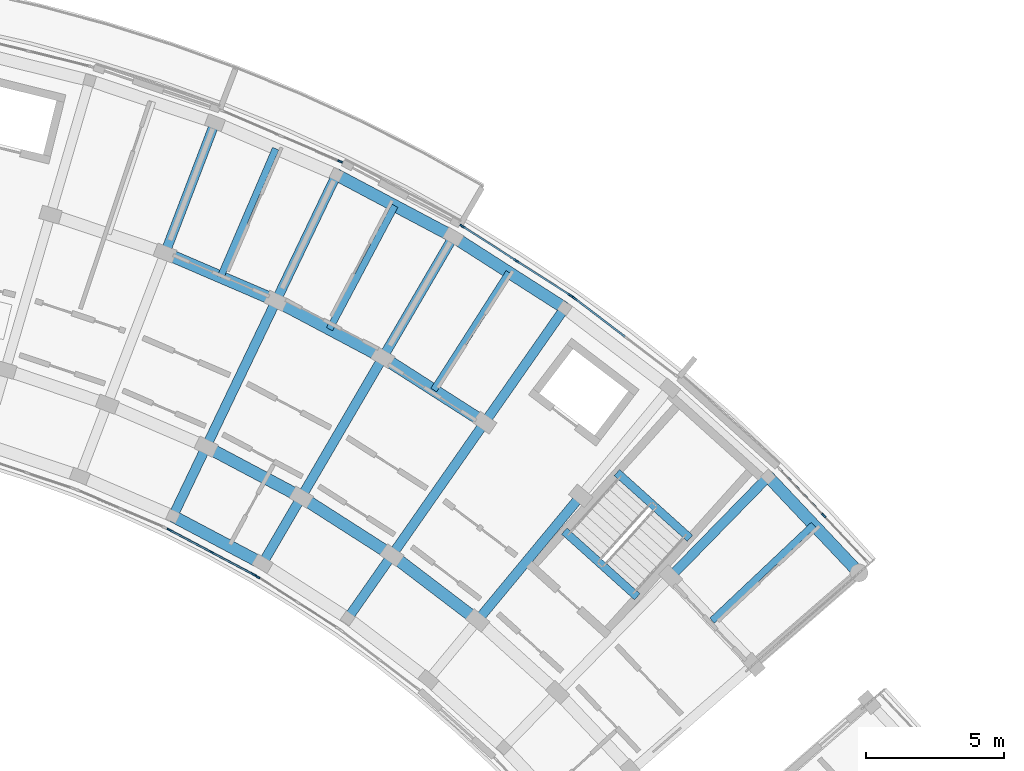
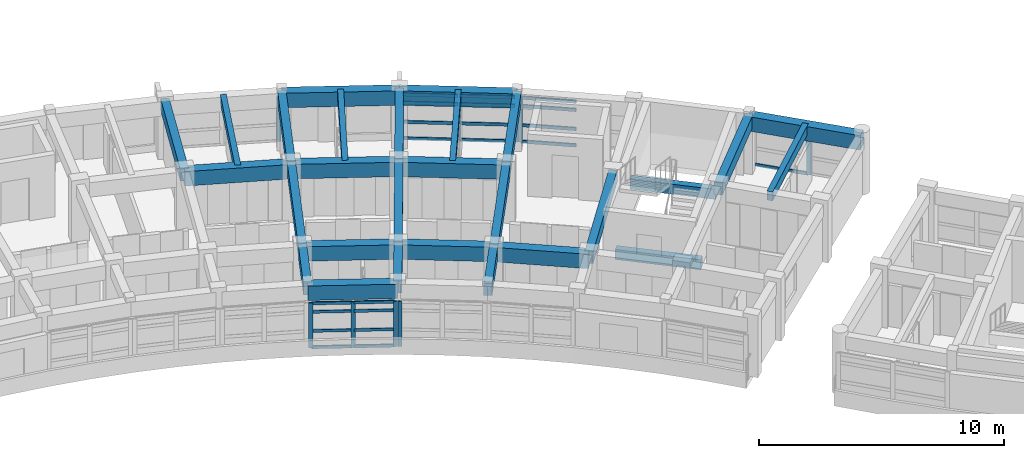
# One storey, part 19 of 50: 31 members, 28 beams, 6 elements without a shape of their own.
"""IFC4 building model written with IfcOpenShell, lengths in metres."""

from ifc_helpers import new_model, si_unit, direction, frame, origin, origin_2d, place, context, subcontext, project, spatial, rectangle, extrude, material, material_profile, profile_set, type_object, element, aggregate, save


model = new_model("IFC4")

# Units and contexts
model_context = context("Model", 3, precision=1e-05, world=origin(), true_north=direction((0.0, 1.0)))
body_context = subcontext(model_context, "Body", "Model", "MODEL_VIEW")
ifc_project = project(units=[si_unit("LENGTHUNIT", "METRE"), si_unit("AREAUNIT", "SQUARE_METRE"), si_unit("VOLUMEUNIT", "CUBIC_METRE"), si_unit("PLANEANGLEUNIT", "RADIAN"), si_unit("MASSUNIT", "GRAM", prefix="KILO")], contexts=[model_context])

# Site, building, storey
site_placement = place(None, origin())
site = spatial("IfcSite", under=ifc_project, at=site_placement, CompositionType="ELEMENT")
building_placement = place(site_placement, origin())
building = spatial("IfcBuilding", under=site, at=building_placement, Name="Zimvara Arc Housing Community", CompositionType="ELEMENT")
storey_placement = place(building_placement, frame((0.0, 0.0, 26.699951171875)))
storey = spatial("IfcBuildingStorey", under=building, at=storey_placement, Name="L08", CompositionType="ELEMENT", Elevation=26.699951171875)

# Beams
ifc_material_1 = material(Name="Concrete C40/50", Category="concrete")
ifc_material_profile_1 = material_profile(ifc_material_1, rectangle(XDim=0.25, YDim=0.449951171875, at=origin_2d()), Name="RC 250x450")
ifc_profile_set_1 = profile_set([ifc_material_profile_1], Name="Concrete C40/50")
beam_type_1 = type_object("IfcBeamType", Name="BM-RC-250x450", PredefinedType="JOIST", material=ifc_profile_set_1)
beam_1_placement = place(storey_placement, frame((66.22802734375, 93.885986328125, 2.655029296875), z_axis=(0.394929109608, 0.918711596958, 0.0), x_axis=(-0.918711596958, 0.394929109608, 0.0)))
element("IfcBeam", 1, at=beam_1_placement, inside=storey, type_object=beam_type_1, Name="bm:blkB:L08:joist:b4", PredefinedType="JOIST", context=body_context, shape_type="SweptSolid", body=[
    extrude(rectangle(XDim=0.25, YDim=0.449951171875, at=origin_2d()), origin(), (0.0, 0.0, 1.0), 5.075927734375),
])
for number, where, z_axis, x_axis, name in (
    (2, (70.186767578125, 91.9892578125, 2.655029296875), (0.46853732736, 0.883443701019, 0.0), (-0.883443701019, 0.46853732736, 0.0), "bm:blkB:L08:joist:b5"),
    (3, (73.9775390625, 89.776123046875, 2.655029296875), (0.539052331508, 0.842272274206, 0.0), (-0.842272274206, 0.539052331508, 0.0), "bm:blkB:L08:joist:b6"),
):
    element("IfcBeam", number, at=place(storey_placement, frame(where, z_axis=z_axis, x_axis=x_axis)), inside=storey, type_object=beam_type_1, Name=name, PredefinedType="JOIST", context=body_context, shape_type="SweptSolid", body=[
        extrude(rectangle(XDim=0.25, YDim=0.449951171875, at=origin_2d()), origin(), (0.0, 0.0, 1.0), 5.07568359375),
    ])
beam_2_placement = place(storey_placement, frame((84.095703125, 81.3935546875, 2.655029296875), z_axis=(0.727299876429, 0.686319815936, 0.0), x_axis=(-0.686319815936, 0.727299876429, 0.0)))
element("IfcBeam", 4, at=beam_2_placement, inside=storey, type_object=beam_type_1, Name="bm:blkB:L08:joist:b9", PredefinedType="JOIST", context=body_context, shape_type="SweptSolid", body=[
    extrude(rectangle(XDim=0.25, YDim=0.449951171875, at=origin_2d()), origin(), (0.0, 0.0, 1.0), 5.075927734375),
])
ifc_material_2 = material(Name="Concrete C40/50", Category="concrete")
ifc_material_profile_2 = material_profile(ifc_material_2, rectangle(XDim=0.300048828125, YDim=0.5, at=origin_2d()), Name="RC 300x500")
ifc_profile_set_2 = profile_set([ifc_material_profile_2], Name="Concrete C40/50")
beam_type_2 = type_object("IfcBeamType", Name="BM-RC-300x500", PredefinedType="BEAM", material=ifc_profile_set_2)
beam_3_placement = place(storey_placement, frame((81.375732421875, 82.259033203125, -0.25), z_axis=(-0.743362151162, 0.668889162881, 0.0), x_axis=(-0.668889162881, -0.743362151162, 0.0)))
element("IfcBeam", 5, at=beam_3_placement, inside=storey, type_object=beam_type_2, Name="bm:stair_trim:ST-B2:L08:near", PredefinedType="BEAM", context=body_context, shape_type="SweptSolid", body=[
    extrude(rectangle(XDim=0.300048828125, YDim=0.5, at=origin_2d()), origin(), (0.0, 0.0, 1.0), 3.570068359375),
])
beam_4_placement = place(storey_placement, frame((83.2900390625, 84.38671875, 1.300048828125), z_axis=(-0.743396155404, 0.668851370732, 0.0), x_axis=(-0.668851370732, -0.743396155404, 0.0)))
element("IfcBeam", 6, at=beam_4_placement, inside=storey, type_object=beam_type_2, Name="bm:stair_trim:ST-B2:L08:mid", PredefinedType="BEAM", context=body_context, shape_type="SweptSolid", body=[
    extrude(rectangle(XDim=0.300048828125, YDim=0.5, at=origin_2d()), origin(), (0.0, 0.0, 1.0), 3.56982421875),
])
ifc_material_3 = material(Name="Concrete C40/50", Category="concrete")
ifc_material_profile_3 = material_profile(ifc_material_3, rectangle(XDim=0.35009765625, YDim=0.60009765625, at=origin_2d()), Name="RC 350x600")
ifc_profile_set_3 = profile_set([ifc_material_profile_3], Name="Concrete C40/50")
beam_type_3 = type_object("IfcBeamType", Name="BM-RC-350x600", PredefinedType="BEAM", material=ifc_profile_set_3)
beam_5_placement = place(storey_placement, frame((64.2099609375, 94.75341796875, 2.580078125), z_axis=(0.357078271386, 0.934074466038, 0.0), x_axis=(-0.934074466038, 0.357078271386, 0.0)))
element("IfcBeam", 7, at=beam_5_placement, inside=storey, type_object=beam_type_3, Name="bm:blkB:L08:rad:b4:r23", PredefinedType="BEAM", context=body_context, shape_type="SweptSolid", body=[
    extrude(rectangle(XDim=0.35009765625, YDim=0.60009765625, at=origin_2d()), origin(), (0.0, 0.0, 1.0), 5.080078125),
])
beam_6_placement = place(storey_placement, frame((64.49560546875, 85.190673828125, 2.580078125), z_axis=(0.432118703138, 0.901816736593, 0.0), x_axis=(-0.901816736593, 0.432118703138, 0.0)))
element("IfcBeam", 8, at=beam_6_placement, inside=storey, type_object=beam_type_3, Name="bm:blkB:L08:rad:b5:r01", PredefinedType="BEAM", context=body_context, shape_type="SweptSolid", body=[
    extrude(rectangle(XDim=0.35009765625, YDim=0.60009765625, at=origin_2d()), origin(), (0.0, 0.0, 1.0), 2.800048828125),
])
beam_7_placement = place(storey_placement, frame((65.70556640625, 87.7158203125, 2.580078125), z_axis=(0.432069527705, 0.901840298073, 0.0), x_axis=(-0.901840298073, 0.432069527705, 0.0)))
element("IfcBeam", 9, at=beam_7_placement, inside=storey, type_object=beam_type_3, Name="bm:blkB:L08:rad:b5:r12", PredefinedType="BEAM", context=body_context, shape_type="SweptSolid", body=[
    extrude(rectangle(XDim=0.35009765625, YDim=0.60009765625, at=origin_2d()), origin(), (0.0, 0.0, 1.0), 5.8798828125),
])
beam_8_placement = place(storey_placement, frame((68.24609375, 93.0185546875, 2.580078125), z_axis=(0.432098194978, 0.901826563091, 0.0), x_axis=(-0.901826563091, 0.432098194978, 0.0)))
element("IfcBeam", 10, at=beam_8_placement, inside=storey, type_object=beam_type_3, Name="bm:blkB:L08:rad:b5:r23", PredefinedType="BEAM", context=body_context, shape_type="SweptSolid", body=[
    extrude(rectangle(XDim=0.35009765625, YDim=0.60009765625, at=origin_2d()), origin(), (0.0, 0.0, 1.0), 5.080078125),
])
beam_9_placement = place(storey_placement, frame((67.750732421875, 83.46435546875, 2.580078125), z_axis=(0.504239631668, 0.86356377521, 0.0), x_axis=(-0.86356377521, 0.504239631668, 0.0)))
element("IfcBeam", 11, at=beam_9_placement, inside=storey, type_object=beam_type_3, Name="bm:blkB:L08:rad:b6:r01", PredefinedType="BEAM", context=body_context, shape_type="SweptSolid", body=[
    extrude(rectangle(XDim=0.35009765625, YDim=0.60009765625, at=origin_2d()), origin(), (0.0, 0.0, 1.0), 2.800048828125),
])
beam_10_placement = place(storey_placement, frame((69.16259765625, 85.88232421875, 2.580078125), z_axis=(0.504219494781, 0.863575532934, 0.0), x_axis=(-0.863575532934, 0.504219494781, 0.0)))
element("IfcBeam", 12, at=beam_10_placement, inside=storey, type_object=beam_type_3, Name="bm:blkB:L08:rad:b6:r12", PredefinedType="BEAM", context=body_context, shape_type="SweptSolid", body=[
    extrude(rectangle(XDim=0.35009765625, YDim=0.60009765625, at=origin_2d()), origin(), (0.0, 0.0, 1.0), 5.880126953125),
])
beam_11_placement = place(storey_placement, frame((72.12744140625, 90.960205078125, 2.580078125), z_axis=(0.504196701544, 0.863588840915, 0.0), x_axis=(-0.863588840915, 0.504196701544, 0.0)))
element("IfcBeam", 13, at=beam_11_placement, inside=storey, type_object=beam_type_3, Name="bm:blkB:L08:rad:b6:r23", PredefinedType="BEAM", context=body_context, shape_type="SweptSolid", body=[
    extrude(rectangle(XDim=0.35009765625, YDim=0.60009765625, at=origin_2d()), origin(), (0.0, 0.0, 1.0), 5.079833984375),
])
beam_12_placement = place(storey_placement, frame((70.85400390625, 81.478271484375, 2.580078125), z_axis=(0.57297651105, 0.819571789281, 0.0), x_axis=(-0.819571789281, 0.57297651105, 0.0)))
element("IfcBeam", 14, at=beam_12_placement, inside=storey, type_object=beam_type_3, Name="bm:blkB:L08:rad:b7:r01", PredefinedType="BEAM", context=body_context, shape_type="SweptSolid", body=[
    extrude(rectangle(XDim=0.35009765625, YDim=0.60009765625, at=origin_2d()), origin(), (0.0, 0.0, 1.0), 2.7998046875),
])
beam_13_placement = place(storey_placement, frame((72.458251953125, 83.77294921875, 2.580078125), z_axis=(0.573027549978, 0.819536104736, 0.0), x_axis=(-0.819536104736, 0.573027549978, 0.0)))
element("IfcBeam", 15, at=beam_13_placement, inside=storey, type_object=beam_type_3, Name="bm:blkB:L08:rad:b7:r12", PredefinedType="BEAM", context=body_context, shape_type="SweptSolid", body=[
    extrude(rectangle(XDim=0.35009765625, YDim=0.60009765625, at=origin_2d()), origin(), (0.0, 0.0, 1.0), 5.8798828125),
])
beam_14_placement = place(storey_placement, frame((75.82763671875, 88.591796875, 2.580078125), z_axis=(0.573007469479, 0.819550144848, 0.0), x_axis=(-0.819550144848, 0.573007469479, 0.0)))
element("IfcBeam", 16, at=beam_14_placement, inside=storey, type_object=beam_type_3, Name="bm:blkB:L08:rad:b7:r23", PredefinedType="BEAM", context=body_context, shape_type="SweptSolid", body=[
    extrude(rectangle(XDim=0.35009765625, YDim=0.60009765625, at=origin_2d()), origin(), (0.0, 0.0, 1.0), 5.080078125),
])
beam_15_placement = place(storey_placement, frame((75.571044921875, 81.401611328125, 2.580078125), z_axis=(0.637955964415, 0.770072845559, 0.0), x_axis=(-0.770072845559, 0.637955964415, 0.0)))
element("IfcBeam", 17, at=beam_15_placement, inside=storey, type_object=beam_type_3, Name="bm:blkB:L08:rad:b8:r12", PredefinedType="BEAM", context=body_context, shape_type="SweptSolid", body=[
    extrude(rectangle(XDim=0.35009765625, YDim=0.60009765625, at=origin_2d()), origin(), (0.0, 0.0, 1.0), 5.880126953125),
])
beam_16_placement = place(storey_placement, frame((82.588134765625, 82.9912109375, 2.580078125), z_axis=(0.698670885014, 0.71544321538, 0.0), x_axis=(-0.71544321538, 0.698670885014, 0.0)))
element("IfcBeam", 18, at=beam_16_placement, inside=storey, type_object=beam_type_3, Name="bm:blkB:L08:rad:b9:r23", PredefinedType="BEAM", context=body_context, shape_type="SweptSolid", body=[
    extrude(rectangle(XDim=0.35009765625, YDim=0.60009765625, at=origin_2d()), origin(), (0.0, 0.0, 1.0), 5.080078125),
])
ifc_material_4 = material(Name="Concrete C40/50", Category="concrete")
ifc_material_profile_4 = material_profile(ifc_material_4, rectangle(XDim=0.43994140625, YDim=0.719970703125, at=origin_2d()), Name="RC 440x720")
ifc_profile_set_4 = profile_set([ifc_material_profile_4], Name="Concrete C40/50")
beam_type_4 = type_object("IfcBeamType", Name="BM-RC-440x720", PredefinedType="BEAM", material=ifc_profile_set_4)
beam_17_placement = place(storey_placement, frame((64.49560546875, 85.190673828125, 2.52001953125), z_axis=(0.883449220086, -0.468526920815, 0.0), x_axis=(0.468526920815, 0.883449220086, 0.0)))
element("IfcBeam", 19, at=beam_17_placement, inside=storey, type_object=beam_type_4, Name="bm:blkB:L08:chord:r0:b5", PredefinedType="BEAM", context=body_context, shape_type="SweptSolid", body=[
    extrude(rectangle(XDim=0.43994140625, YDim=0.719970703125, at=origin_2d()), origin(), (0.0, 0.0, 1.0), 3.6845703125),
])
beam_18_placement = place(storey_placement, frame((65.70556640625, 87.7158203125, 2.52001953125), z_axis=(0.883438625159, -0.468546897948, 0.0), x_axis=(0.468546897948, 0.883438625159, 0.0)))
element("IfcBeam", 20, at=beam_18_placement, inside=storey, type_object=beam_type_4, Name="bm:blkB:L08:chord:r1:b5", PredefinedType="BEAM", context=body_context, shape_type="SweptSolid", body=[
    extrude(rectangle(XDim=0.43994140625, YDim=0.719970703125, at=origin_2d()), origin(), (0.0, 0.0, 1.0), 3.9130859375),
])
beam_19_placement = place(storey_placement, frame((69.16259765625, 85.88232421875, 2.52001953125), z_axis=(0.842253269878, -0.539082024724, 0.0), x_axis=(0.539082024724, 0.842253269878, 0.0)))
element("IfcBeam", 21, at=beam_19_placement, inside=storey, type_object=beam_type_4, Name="bm:blkB:L08:chord:r1:b6", PredefinedType="BEAM", context=body_context, shape_type="SweptSolid", body=[
    extrude(rectangle(XDim=0.43994140625, YDim=0.719970703125, at=origin_2d()), origin(), (0.0, 0.0, 1.0), 3.912841796875),
])
beam_20_placement = place(storey_placement, frame((72.458251953125, 83.77294921875, 2.52001953125), z_axis=(0.795470387579, -0.605992460749, 0.0), x_axis=(0.605992460749, 0.795470387579, 0.0)))
element("IfcBeam", 22, at=beam_20_placement, inside=storey, type_object=beam_type_4, Name="bm:blkB:L08:chord:r1:b7", PredefinedType="BEAM", context=body_context, shape_type="SweptSolid", body=[
    extrude(rectangle(XDim=0.43994140625, YDim=0.719970703125, at=origin_2d()), origin(), (0.0, 0.0, 1.0), 3.9130859375),
])
for number, where, z_axis, x_axis, name in (
    (23, (64.2099609375, 94.75341796875, 2.52001953125), (0.918724840088, -0.394898301093, 0.0), (0.394898301093, 0.918724840088, 0.0), "bm:blkB:L08:chord:r2:b4"),
    (24, (68.24609375, 93.0185546875, 2.52001953125), (0.883456526058, -0.468513144496, 0.0), (0.468513144496, 0.883456526058, 0.0), "bm:blkB:L08:chord:r2:b5"),
    (25, (72.12744140625, 90.960205078125, 2.52001953125), (0.842242131326, -0.539099427025, 0.0), (0.539099427025, 0.842242131326, 0.0), "bm:blkB:L08:chord:r2:b6"),
):
    element("IfcBeam", number, at=place(storey_placement, frame(where, z_axis=z_axis, x_axis=x_axis)), inside=storey, type_object=beam_type_4, Name=name, PredefinedType="BEAM", context=body_context, shape_type="SweptSolid", body=[
        extrude(rectangle(XDim=0.43994140625, YDim=0.719970703125, at=origin_2d()), origin(), (0.0, 0.0, 1.0), 4.393310546875),
    ])
beam_21_placement = place(storey_placement, frame((70.441162109375, 97.599853515625, 2.52001953125), z_axis=(0.883445542299, -0.468533855546, 0.0), x_axis=(0.468533855546, 0.883445542299, 0.0)))
element("IfcBeam", 26, at=beam_21_placement, inside=storey, type_object=beam_type_4, Name="bm:blkB:L08:chord:r3:b5", PredefinedType="BEAM", context=body_context, shape_type="SweptSolid", body=[
    extrude(rectangle(XDim=0.43994140625, YDim=0.719970703125, at=origin_2d()), origin(), (0.0, 0.0, 1.0), 4.807861328125),
])
beam_22_placement = place(storey_placement, frame((74.688720703125, 95.34716796875, 2.52001953125), z_axis=(0.842255724028, -0.539078190379, 0.0), x_axis=(0.539078190379, 0.842255724028, 0.0)))
element("IfcBeam", 27, at=beam_22_placement, inside=storey, type_object=beam_type_4, Name="bm:blkB:L08:chord:r3:b6", PredefinedType="BEAM", context=body_context, shape_type="SweptSolid", body=[
    extrude(rectangle(XDim=0.43994140625, YDim=0.719970703125, at=origin_2d()), origin(), (0.0, 0.0, 1.0), 4.808349609375),
])
beam_23_placement = place(storey_placement, frame((86.137451171875, 86.625732421875, 2.52001953125), z_axis=(0.6862954451, -0.727322873307, 0.0), x_axis=(0.727322873307, 0.6862954451, 0.0)))
element("IfcBeam", 28, at=beam_23_placement, inside=storey, type_object=beam_type_4, Name="bm:blkB:L08:chord:r3:b9", PredefinedType="BEAM", context=body_context, shape_type="SweptSolid", body=[
    extrude(rectangle(XDim=0.43994140625, YDim=0.719970703125, at=origin_2d()), origin(), (0.0, 0.0, 1.0), 4.80810546875),
])

# Curtain wall, member
ifc_material_5 = material(Name="Anodised Aluminium AW-6063", Category="aluminium")
curtain_wall_type_1 = type_object("IfcCurtainWallType", Name="CW-SYS-02", PredefinedType="USERDEFINED", material=ifc_material_5)
curtain_wall_1_placement = place(storey_placement, origin())
curtain_wall_1 = element("IfcCurtainWall", 29, at=curtain_wall_1_placement, inside=storey, type_object=curtain_wall_type_1, Name="cw:blkB:L08:out:b4", ObjectType="CURTAIN WALL", PredefinedType="USERDEFINED")
ifc_material_6 = material(Name="Anodised Aluminium AW-6063", Category="aluminium")
ifc_material_profile_5 = material_profile(ifc_material_6, rectangle(XDim=0.06494140625, YDim=0.179931640625, at=origin_2d()), Name="ALU 65x180")
ifc_profile_set_5 = profile_set([ifc_material_profile_5], Name="Anodised Aluminium AW-6063")
member_type_1 = type_object("IfcMemberType", Name="CWM-65x150", PredefinedType="MULLION", material=ifc_profile_set_5)
member_1_placement = place(storey_placement, frame((70.572265625, 98.08740234375, 0.0), z_axis=(0.0, 0.0, 1.0), x_axis=(0.394904211998, 0.918722299363, 0.0)))
member_1 = element("IfcMember", 30, at=member_1_placement, type_object=member_type_1, Name="CW02 mullion 3", PredefinedType="MULLION", context=body_context, shape_type="SweptSolid", body=[
    extrude(rectangle(XDim=0.06494140625, YDim=0.179931640625, at=origin_2d()), origin(), (0.0, 0.0, 1.0), 2.25),
])
aggregate(curtain_wall_1, [member_1])

# Curtain wall, members
ifc_material_7 = material(Name="Anodised Aluminium AW-6063", Category="aluminium")
curtain_wall_type_2 = type_object("IfcCurtainWallType", Name="CW-SYS-04", PredefinedType="USERDEFINED", material=ifc_material_7)
curtain_wall_2_placement = place(storey_placement, origin())
curtain_wall_2 = element("IfcCurtainWall", 31, at=curtain_wall_2_placement, inside=storey, type_object=curtain_wall_type_2, Name="cw:blkB:L08:in:b5", ObjectType="CURTAIN WALL", PredefinedType="USERDEFINED")
member_2_placement = place(storey_placement, frame((64.361328125, 84.696533203125, 0.0), z_axis=(0.0, 0.0, 1.0), x_axis=(0.468544648573, 0.88343981815, 0.0)))
member_2 = element("IfcMember", 32, at=member_2_placement, type_object=member_type_1, Name="CW04 mullion 1", PredefinedType="MULLION", context=body_context, shape_type="SweptSolid", body=[
    extrude(rectangle(XDim=0.06494140625, YDim=0.179931640625, at=origin_2d()), origin(), (0.0, 0.0, 1.0), 2.25),
])
member_3_placement = place(storey_placement, frame((65.88916015625, 83.88623046875, 0.0), z_axis=(0.0, 0.0, 1.0), x_axis=(0.468544648573, 0.88343981815, 0.0)))
member_3 = element("IfcMember", 33, at=member_3_placement, type_object=member_type_1, Name="CW04 mullion 2", PredefinedType="MULLION", context=body_context, shape_type="SweptSolid", body=[
    extrude(rectangle(XDim=0.06494140625, YDim=0.179931640625, at=origin_2d()), origin(), (0.0, 0.0, 1.0), 2.25),
])
member_4_placement = place(storey_placement, frame((67.416748046875, 83.075927734375, 0.0), z_axis=(0.0, 0.0, 1.0), x_axis=(0.468544648573, 0.88343981815, 0.0)))
member_4 = element("IfcMember", 34, at=member_4_placement, type_object=member_type_1, Name="CW04 mullion 3", PredefinedType="MULLION", context=body_context, shape_type="SweptSolid", body=[
    extrude(rectangle(XDim=0.06494140625, YDim=0.179931640625, at=origin_2d()), origin(), (0.0, 0.0, 1.0), 2.25),
])

# Curtain wall, member
ifc_material_8 = material(Name="Anodised Aluminium AW-6063", Category="aluminium")
curtain_wall_type_3 = type_object("IfcCurtainWallType", Name="CW-SYS-06", PredefinedType="USERDEFINED", material=ifc_material_8)
curtain_wall_3_placement = place(storey_placement, origin())
curtain_wall_3 = element("IfcCurtainWall", 35, at=curtain_wall_3_placement, inside=storey, type_object=curtain_wall_type_3, Name="cw:blkB:L08:in:b6", ObjectType="CURTAIN WALL", PredefinedType="USERDEFINED")
member_5_placement = place(storey_placement, frame((67.576416015625, 82.982666015625, 0.0), z_axis=(0.0, 0.0, 1.0), x_axis=(0.539064085203, 0.842264751752, 0.0)))
member_5 = element("IfcMember", 36, at=member_5_placement, type_object=member_type_1, Name="CW06 mullion 1", PredefinedType="MULLION", context=body_context, shape_type="SweptSolid", body=[
    extrude(rectangle(XDim=0.06494140625, YDim=0.179931640625, at=origin_2d()), origin(), (0.0, 0.0, 1.0), 2.25),
])
aggregate(curtain_wall_3, [member_5])

# Curtain wall, members
ifc_material_9 = material(Name="Anodised Aluminium AW-6063", Category="aluminium")
curtain_wall_type_4 = type_object("IfcCurtainWallType", Name="CW-SYS-05", PredefinedType="USERDEFINED", material=ifc_material_9)
curtain_wall_4_placement = place(storey_placement, origin())
curtain_wall_4 = element("IfcCurtainWall", 37, at=curtain_wall_4_placement, inside=storey, type_object=curtain_wall_type_4, Name="cw:blkB:L08:out:b6", ObjectType="CURTAIN WALL", PredefinedType="USERDEFINED")
ifc_material_10 = material(Name="Anodised Aluminium AW-6063", Category="aluminium")
ifc_material_profile_6 = material_profile(ifc_material_10, rectangle(XDim=0.06494140625, YDim=0.195068359375, at=origin_2d()), Name="ALU 65x195")
ifc_profile_set_6 = profile_set([ifc_material_profile_6], Name="Anodised Aluminium AW-6063")
member_type_2 = type_object("IfcMemberType", Name="CWM-65x180", PredefinedType="MULLION", material=ifc_profile_set_6)
member_6_placement = place(storey_placement, frame((75.018798828125, 95.72900390625, 0.0), z_axis=(0.0, 0.0, 1.0), x_axis=(0.539064617721, 0.842264410931, 0.0)))
member_6 = element("IfcMember", 38, at=member_6_placement, type_object=member_type_2, Name="CW05 mullion 1", PredefinedType="MULLION", context=body_context, shape_type="SweptSolid", body=[
    extrude(rectangle(XDim=0.06494140625, YDim=0.195068359375, at=origin_2d()), origin(), (0.0, 0.0, 1.0), 2.25),
])
member_7_placement = place(storey_placement, frame((76.98291015625, 94.471923828125, 0.0), z_axis=(0.0, 0.0, 1.0), x_axis=(0.539064617721, 0.842264410931, 0.0)))
member_7 = element("IfcMember", 39, at=member_7_placement, type_object=member_type_2, Name="CW05 mullion 2", PredefinedType="MULLION", context=body_context, shape_type="SweptSolid", body=[
    extrude(rectangle(XDim=0.06494140625, YDim=0.195068359375, at=origin_2d()), origin(), (0.0, 0.0, 1.0), 2.25),
])
member_8_placement = place(storey_placement, frame((78.947021484375, 93.21484375, 0.0), z_axis=(0.0, 0.0, 1.0), x_axis=(0.539064617721, 0.842264410931, 0.0)))
member_8 = element("IfcMember", 40, at=member_8_placement, type_object=member_type_2, Name="CW05 mullion 3", PredefinedType="MULLION", context=body_context, shape_type="SweptSolid", body=[
    extrude(rectangle(XDim=0.06494140625, YDim=0.195068359375, at=origin_2d()), origin(), (0.0, 0.0, 1.0), 2.25),
])

# Curtain wall, member
ifc_material_11 = material(Name="Anodised Aluminium AW-6063", Category="aluminium")
curtain_wall_type_5 = type_object("IfcCurtainWallType", Name="CW-SYS-07", PredefinedType="USERDEFINED", material=ifc_material_11)
curtain_wall_5_placement = place(storey_placement, origin())
curtain_wall_5 = element("IfcCurtainWall", 41, at=curtain_wall_5_placement, inside=storey, type_object=curtain_wall_type_5, Name="cw:blkB:L08:out:b7", ObjectType="CURTAIN WALL", PredefinedType="USERDEFINED")
member_9_placement = place(storey_placement, frame((79.0986328125, 93.10888671875, 0.0), z_axis=(0.0, 0.0, 1.0), x_axis=(0.60598771987, 0.795473999177, 0.0)))
member_9 = element("IfcMember", 42, at=member_9_placement, type_object=member_type_2, Name="CW07 mullion 1", PredefinedType="MULLION", context=body_context, shape_type="SweptSolid", body=[
    extrude(rectangle(XDim=0.06494140625, YDim=0.195068359375, at=origin_2d()), origin(), (0.0, 0.0, 1.0), 2.25),
])

ifc_material_12 = material(Name="Anodised Aluminium AW-6063", Category="aluminium")
curtain_wall_type_6 = type_object("IfcCurtainWallType", Name="CW-SYS-01", PredefinedType="USERDEFINED", material=ifc_material_12)
curtain_wall_6_placement = place(storey_placement, origin())
curtain_wall_6 = element("IfcCurtainWall", 43, at=curtain_wall_6_placement, inside=storey, type_object=curtain_wall_type_6, Name="cw:blkB:L08:out:b9", ObjectType="CURTAIN WALL", PredefinedType="USERDEFINED")
member_10_placement = place(storey_placement, frame((88.150634765625, 85.219970703125, 0.0), z_axis=(0.0, 0.0, 1.0), x_axis=(0.727293647725, 0.686326416495, 0.0)))
member_10 = element("IfcMember", 44, at=member_10_placement, type_object=member_type_2, Name="CW01 mullion 2", PredefinedType="MULLION", context=body_context, shape_type="SweptSolid", body=[
    extrude(rectangle(XDim=0.06494140625, YDim=0.195068359375, at=origin_2d()), origin(), (0.0, 0.0, 1.0), 2.25),
])

# Member
ifc_material_13 = material(Name="Anodised Aluminium AW-6063", Category="aluminium")
ifc_material_profile_7 = material_profile(ifc_material_13, rectangle(XDim=0.06494140625, YDim=0.139892578125, at=origin_2d()), Name="ALU 65x140")
ifc_profile_set_7 = profile_set([ifc_material_profile_7], Name="Anodised Aluminium AW-6063")
member_type_3 = type_object("IfcMemberType", Name="CWT-65x120", PredefinedType="USERDEFINED", material=ifc_profile_set_7)
member_11_placement = place(storey_placement, frame((64.39013671875, 84.68115234375, 0.032470703125), z_axis=(0.8834308201, -0.468561613982, 0.0), x_axis=(0.468561613982, 0.8834308201, 0.0)))
member_11 = element("IfcMember", 45, at=member_11_placement, type_object=member_type_3, Name="CW04 transom 1.1", ObjectType="TRANSOM", PredefinedType="USERDEFINED", context=body_context, shape_type="SweptSolid", body=[
    extrude(rectangle(XDim=0.06494140625, YDim=0.139892578125, at=origin_2d()), origin(), (0.0, 0.0, 1.0), 1.664306640625),
])

member_12_placement = place(storey_placement, frame((64.39013671875, 84.68115234375, 0.85009765625), z_axis=(0.8834308201, -0.468561613982, 0.0), x_axis=(0.468561613982, 0.8834308201, 0.0)))
member_12 = element("IfcMember", 46, at=member_12_placement, type_object=member_type_3, Name="CW04 transom 1.2", ObjectType="TRANSOM", PredefinedType="USERDEFINED", context=body_context, shape_type="SweptSolid", body=[
    extrude(rectangle(XDim=0.06494140625, YDim=0.139892578125, at=origin_2d()), origin(), (0.0, 0.0, 1.0), 1.664306640625),
])

member_13_placement = place(storey_placement, frame((64.39013671875, 84.68115234375, 1.800048828125), z_axis=(0.8834308201, -0.468561613982, 0.0), x_axis=(0.468561613982, 0.8834308201, 0.0)))
member_13 = element("IfcMember", 47, at=member_13_placement, type_object=member_type_3, Name="CW04 transom 1.3", ObjectType="TRANSOM", PredefinedType="USERDEFINED", context=body_context, shape_type="SweptSolid", body=[
    extrude(rectangle(XDim=0.06494140625, YDim=0.139892578125, at=origin_2d()), origin(), (0.0, 0.0, 1.0), 1.664306640625),
])

member_14_placement = place(storey_placement, frame((64.39013671875, 84.68115234375, 2.217529296875), z_axis=(0.8834308201, -0.468561613982, 0.0), x_axis=(0.468561613982, 0.8834308201, 0.0)))
member_14 = element("IfcMember", 48, at=member_14_placement, type_object=member_type_3, Name="CW04 transom 1.4", ObjectType="TRANSOM", PredefinedType="USERDEFINED", context=body_context, shape_type="SweptSolid", body=[
    extrude(rectangle(XDim=0.06494140625, YDim=0.139892578125, at=origin_2d()), origin(), (0.0, 0.0, 1.0), 1.664306640625),
])

member_15_placement = place(storey_placement, frame((65.917724609375, 83.870849609375, 0.032470703125), z_axis=(0.883463021947, -0.468500895252, 0.0), x_axis=(0.468500895252, 0.883463021947, 0.0)))
member_15 = element("IfcMember", 49, at=member_15_placement, type_object=member_type_3, Name="CW04 transom 2.1", ObjectType="TRANSOM", PredefinedType="USERDEFINED", context=body_context, shape_type="SweptSolid", body=[
    extrude(rectangle(XDim=0.06494140625, YDim=0.139892578125, at=origin_2d()), origin(), (0.0, 0.0, 1.0), 1.664306640625),
])

member_16_placement = place(storey_placement, frame((65.917724609375, 83.870849609375, 0.85009765625), z_axis=(0.883463021947, -0.468500895252, 0.0), x_axis=(0.468500895252, 0.883463021947, 0.0)))
member_16 = element("IfcMember", 50, at=member_16_placement, type_object=member_type_3, Name="CW04 transom 2.2", ObjectType="TRANSOM", PredefinedType="USERDEFINED", context=body_context, shape_type="SweptSolid", body=[
    extrude(rectangle(XDim=0.06494140625, YDim=0.139892578125, at=origin_2d()), origin(), (0.0, 0.0, 1.0), 1.664306640625),
])

member_17_placement = place(storey_placement, frame((65.917724609375, 83.870849609375, 1.800048828125), z_axis=(0.883463021947, -0.468500895252, 0.0), x_axis=(0.468500895252, 0.883463021947, 0.0)))
member_17 = element("IfcMember", 51, at=member_17_placement, type_object=member_type_3, Name="CW04 transom 2.3", ObjectType="TRANSOM", PredefinedType="USERDEFINED", context=body_context, shape_type="SweptSolid", body=[
    extrude(rectangle(XDim=0.06494140625, YDim=0.139892578125, at=origin_2d()), origin(), (0.0, 0.0, 1.0), 1.664306640625),
])

member_18_placement = place(storey_placement, frame((65.917724609375, 83.870849609375, 2.217529296875), z_axis=(0.883463021947, -0.468500895252, 0.0), x_axis=(0.468500895252, 0.883463021947, 0.0)))
member_18 = element("IfcMember", 52, at=member_18_placement, type_object=member_type_3, Name="CW04 transom 2.4", ObjectType="TRANSOM", PredefinedType="USERDEFINED", context=body_context, shape_type="SweptSolid", body=[
    extrude(rectangle(XDim=0.06494140625, YDim=0.139892578125, at=origin_2d()), origin(), (0.0, 0.0, 1.0), 1.664306640625),
])

aggregate(curtain_wall_2, [member_2, member_3, member_4, member_11, member_12, member_13, member_14, member_15, member_16, member_17, member_18])

ifc_material_14 = material(Name="Anodised Aluminium AW-6063", Category="aluminium")
ifc_material_profile_8 = material_profile(ifc_material_14, rectangle(XDim=0.06494140625, YDim=0.155029296875, at=origin_2d()), Name="ALU 65x155")
ifc_profile_set_8 = profile_set([ifc_material_profile_8], Name="Anodised Aluminium AW-6063")
member_type_4 = type_object("IfcMemberType", Name="CWT-65x140", PredefinedType="USERDEFINED", material=ifc_profile_set_8)
member_19_placement = place(storey_placement, frame((75.046142578125, 95.71142578125, 0.032470703125), z_axis=(0.842292914806, -0.539020079095, 0.0), x_axis=(0.539020079095, 0.842292914806, 0.0)))
member_19 = element("IfcMember", 53, at=member_19_placement, type_object=member_type_4, Name="CW05 transom 1.1", ObjectType="TRANSOM", PredefinedType="USERDEFINED", context=body_context, shape_type="SweptSolid", body=[
    extrude(rectangle(XDim=0.06494140625, YDim=0.155029296875, at=origin_2d()), origin(), (0.0, 0.0, 1.0), 2.266845703125),
])

member_20_placement = place(storey_placement, frame((75.046142578125, 95.71142578125, 0.85009765625), z_axis=(0.842292914806, -0.539020079095, 0.0), x_axis=(0.539020079095, 0.842292914806, 0.0)))
member_20 = element("IfcMember", 54, at=member_20_placement, type_object=member_type_4, Name="CW05 transom 1.2", ObjectType="TRANSOM", PredefinedType="USERDEFINED", context=body_context, shape_type="SweptSolid", body=[
    extrude(rectangle(XDim=0.06494140625, YDim=0.155029296875, at=origin_2d()), origin(), (0.0, 0.0, 1.0), 2.266845703125),
])

member_21_placement = place(storey_placement, frame((75.046142578125, 95.71142578125, 1.800048828125), z_axis=(0.842292914806, -0.539020079095, 0.0), x_axis=(0.539020079095, 0.842292914806, 0.0)))
member_21 = element("IfcMember", 55, at=member_21_placement, type_object=member_type_4, Name="CW05 transom 1.3", ObjectType="TRANSOM", PredefinedType="USERDEFINED", context=body_context, shape_type="SweptSolid", body=[
    extrude(rectangle(XDim=0.06494140625, YDim=0.155029296875, at=origin_2d()), origin(), (0.0, 0.0, 1.0), 2.266845703125),
])

member_22_placement = place(storey_placement, frame((75.046142578125, 95.71142578125, 2.217529296875), z_axis=(0.842292914806, -0.539020079095, 0.0), x_axis=(0.539020079095, 0.842292914806, 0.0)))
member_22 = element("IfcMember", 56, at=member_22_placement, type_object=member_type_4, Name="CW05 transom 1.4", ObjectType="TRANSOM", PredefinedType="USERDEFINED", context=body_context, shape_type="SweptSolid", body=[
    extrude(rectangle(XDim=0.06494140625, YDim=0.155029296875, at=origin_2d()), origin(), (0.0, 0.0, 1.0), 2.266845703125),
])

member_23_placement = place(storey_placement, frame((77.01025390625, 94.454345703125, 0.032470703125), z_axis=(0.842292914806, -0.539020079095, 0.0), x_axis=(0.539020079095, 0.842292914806, 0.0)))
member_23 = element("IfcMember", 57, at=member_23_placement, type_object=member_type_4, Name="CW05 transom 2.1", ObjectType="TRANSOM", PredefinedType="USERDEFINED", context=body_context, shape_type="SweptSolid", body=[
    extrude(rectangle(XDim=0.06494140625, YDim=0.155029296875, at=origin_2d()), origin(), (0.0, 0.0, 1.0), 2.266845703125),
])

member_24_placement = place(storey_placement, frame((77.01025390625, 94.454345703125, 0.85009765625), z_axis=(0.842292914806, -0.539020079095, 0.0), x_axis=(0.539020079095, 0.842292914806, 0.0)))
member_24 = element("IfcMember", 58, at=member_24_placement, type_object=member_type_4, Name="CW05 transom 2.2", ObjectType="TRANSOM", PredefinedType="USERDEFINED", context=body_context, shape_type="SweptSolid", body=[
    extrude(rectangle(XDim=0.06494140625, YDim=0.155029296875, at=origin_2d()), origin(), (0.0, 0.0, 1.0), 2.266845703125),
])

member_25_placement = place(storey_placement, frame((77.01025390625, 94.454345703125, 1.800048828125), z_axis=(0.842292914806, -0.539020079095, 0.0), x_axis=(0.539020079095, 0.842292914806, 0.0)))
member_25 = element("IfcMember", 59, at=member_25_placement, type_object=member_type_4, Name="CW05 transom 2.3", ObjectType="TRANSOM", PredefinedType="USERDEFINED", context=body_context, shape_type="SweptSolid", body=[
    extrude(rectangle(XDim=0.06494140625, YDim=0.155029296875, at=origin_2d()), origin(), (0.0, 0.0, 1.0), 2.266845703125),
])

member_26_placement = place(storey_placement, frame((77.01025390625, 94.454345703125, 2.217529296875), z_axis=(0.842292914806, -0.539020079095, 0.0), x_axis=(0.539020079095, 0.842292914806, 0.0)))
member_26 = element("IfcMember", 60, at=member_26_placement, type_object=member_type_4, Name="CW05 transom 2.4", ObjectType="TRANSOM", PredefinedType="USERDEFINED", context=body_context, shape_type="SweptSolid", body=[
    extrude(rectangle(XDim=0.06494140625, YDim=0.155029296875, at=origin_2d()), origin(), (0.0, 0.0, 1.0), 2.266845703125),
])

aggregate(curtain_wall_4, [member_6, member_7, member_8, member_19, member_20, member_21, member_22, member_23, member_24, member_25, member_26])

member_27_placement = place(storey_placement, frame((79.12451171875, 93.08935546875, 0.032470703125), z_axis=(0.795453969776, -0.606014011363, 0.0), x_axis=(0.606014011363, 0.795453969776, 0.0)))
member_27 = element("IfcMember", 61, at=member_27_placement, type_object=member_type_4, Name="CW07 transom 1.1", ObjectType="TRANSOM", PredefinedType="USERDEFINED", context=body_context, shape_type="SweptSolid", body=[
    extrude(rectangle(XDim=0.06494140625, YDim=0.155029296875, at=origin_2d()), origin(), (0.0, 0.0, 1.0), 2.266845703125),
])

member_28_placement = place(storey_placement, frame((79.12451171875, 93.08935546875, 0.85009765625), z_axis=(0.795453969776, -0.606014011363, 0.0), x_axis=(0.606014011363, 0.795453969776, 0.0)))
member_28 = element("IfcMember", 62, at=member_28_placement, type_object=member_type_4, Name="CW07 transom 1.2", ObjectType="TRANSOM", PredefinedType="USERDEFINED", context=body_context, shape_type="SweptSolid", body=[
    extrude(rectangle(XDim=0.06494140625, YDim=0.155029296875, at=origin_2d()), origin(), (0.0, 0.0, 1.0), 2.266845703125),
])

member_29_placement = place(storey_placement, frame((79.12451171875, 93.08935546875, 1.800048828125), z_axis=(0.795453969776, -0.606014011363, 0.0), x_axis=(0.606014011363, 0.795453969776, 0.0)))
member_29 = element("IfcMember", 63, at=member_29_placement, type_object=member_type_4, Name="CW07 transom 1.3", ObjectType="TRANSOM", PredefinedType="USERDEFINED", context=body_context, shape_type="SweptSolid", body=[
    extrude(rectangle(XDim=0.06494140625, YDim=0.155029296875, at=origin_2d()), origin(), (0.0, 0.0, 1.0), 2.266845703125),
])

member_30_placement = place(storey_placement, frame((79.12451171875, 93.08935546875, 2.217529296875), z_axis=(0.795453969776, -0.606014011363, 0.0), x_axis=(0.606014011363, 0.795453969776, 0.0)))
member_30 = element("IfcMember", 64, at=member_30_placement, type_object=member_type_4, Name="CW07 transom 1.4", ObjectType="TRANSOM", PredefinedType="USERDEFINED", context=body_context, shape_type="SweptSolid", body=[
    extrude(rectangle(XDim=0.06494140625, YDim=0.155029296875, at=origin_2d()), origin(), (0.0, 0.0, 1.0), 2.266845703125),
])

aggregate(curtain_wall_5, [member_9, member_27, member_28, member_29, member_30])

member_31_placement = place(storey_placement, frame((86.572509765625, 86.892333984375, 0.032470703125), z_axis=(0.686348357589, -0.727272941911, 0.0), x_axis=(0.727272941911, 0.686348357589, 0.0)))
member_31 = element("IfcMember", 65, at=member_31_placement, type_object=member_type_4, Name="CW01 transom 1.1", ObjectType="TRANSOM", PredefinedType="USERDEFINED", context=body_context, shape_type="SweptSolid", body=[
    extrude(rectangle(XDim=0.06494140625, YDim=0.155029296875, at=origin_2d()), origin(), (0.0, 0.0, 1.0), 2.266845703125),
])

aggregate(curtain_wall_6, [member_10, member_31])

save(model, "model.ifc")
